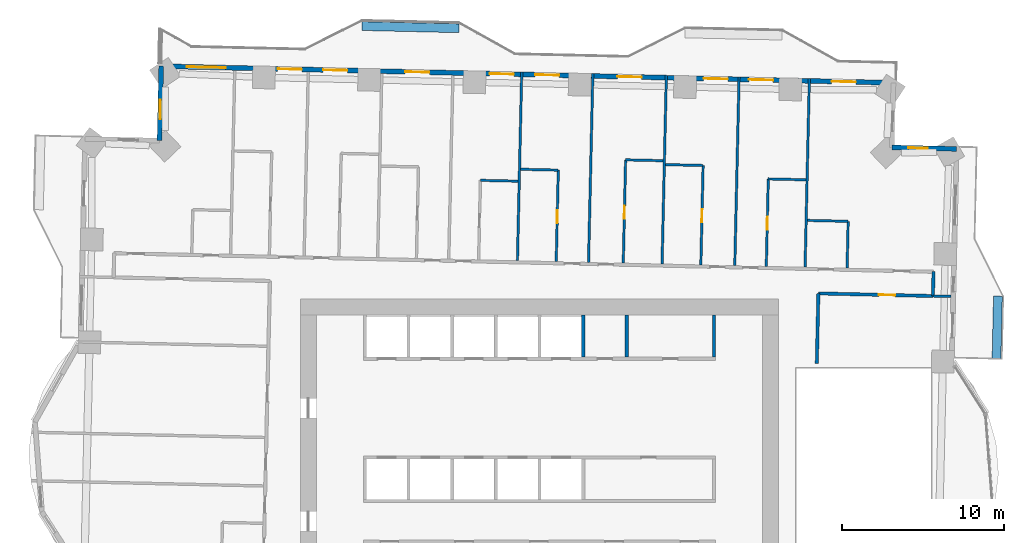
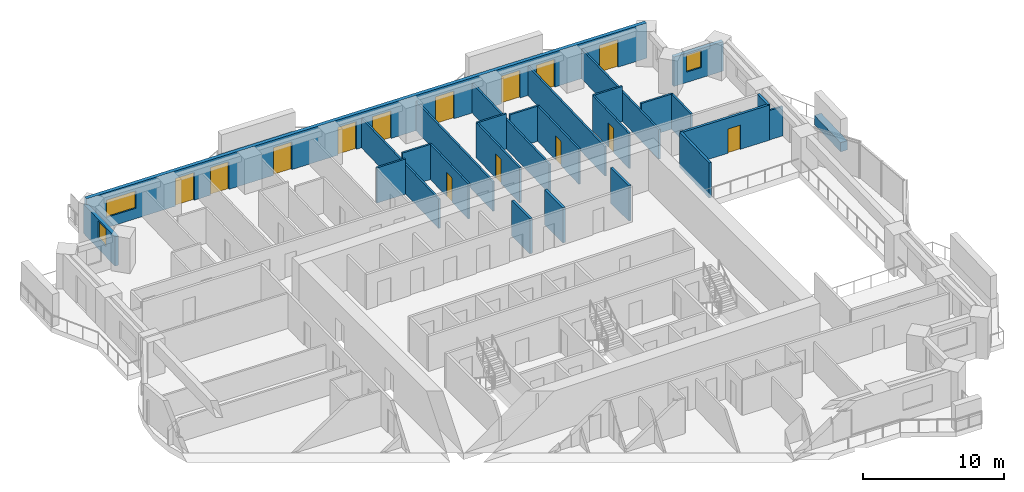
# One storey, part 11 of 16: 28 walls, 14 doors, 3 windows, 17 openings.
"""IFC4 building model written with IfcOpenShell, lengths in metres."""

from ifc_helpers import new_model, si_unit, direction, frame, frame_2d, origin, place, context, subcontext, project, spatial, rectangle, extrude, material, layer, layer_set, type_object, element, fill, save


model = new_model("IFC4")

# Units and contexts
model_context = context("Model", 3, precision=1e-05, world=origin(), true_north=direction((0.0, 1.0)))
body_context = subcontext(model_context, "Body", "Model", "MODEL_VIEW")
ifc_project = project(units=[si_unit("LENGTHUNIT", "METRE"), si_unit("AREAUNIT", "SQUARE_METRE"), si_unit("VOLUMEUNIT", "CUBIC_METRE"), si_unit("PLANEANGLEUNIT", "RADIAN"), si_unit("MASSUNIT", "GRAM", prefix="KILO")], contexts=[model_context])

# Site, building, storey
site_placement = place(None, origin())
site = spatial("IfcSite", under=ifc_project, at=site_placement, CompositionType="ELEMENT")
building_placement = place(site_placement, origin())
building = spatial("IfcBuilding", under=site, at=building_placement, Name="Mangrove Gate Tower", CompositionType="ELEMENT")
storey_placement = place(building_placement, frame((0.0, 0.0, 109.10009765625)))
storey = spatial("IfcBuildingStorey", under=building, at=storey_placement, Name="L27", CompositionType="ELEMENT", Elevation=109.10009765625)

# Walls
ifc_material_1 = material(Name="Concrete C32/40", Category="concrete")
ifc_layer_1 = layer(ifc_material_1, 0.199951171875)
ifc_layer_set_1 = layer_set([ifc_layer_1], Name="Core room wall 200 C32/40")
wall_type_1 = type_object("IfcWallType", Name="Core room wall 200 C32/40", PredefinedType="STANDARD", material=ifc_layer_set_1)
for number, where, z_axis, x_axis, name in (
    (1, (5.39990234375, 8.199951171875, 0.0), (0.0, 0.0, 1.0), (0.0, 1.0, 0.0), "WALL-L27-CORE-32"),
    (2, (10.800048828125, 8.199951171875, 0.0), (0.0, 0.0, 1.0), (0.0, 1.0, 0.0), "WALL-L27-CORE-33"),
):
    element("IfcWall", number, at=place(storey_placement, frame(where, z_axis=z_axis, x_axis=x_axis)), inside=storey, type_object=wall_type_1, Name=name, PredefinedType="STANDARD", context=body_context, shape_type="SweptSolid", body=[
        extrude(rectangle(XDim=2.60009765625, YDim=0.199951171875, at=frame_2d((1.300048828125, 0.0))), origin(), (0.0, 0.0, 1.0), 3.0498046875),
    ])
ifc_material_2 = material(Name="Concrete C70/85", Category="concrete")
ifc_layer_2 = layer(ifc_material_2, 0.199951171875)
ifc_layer_set_2 = layer_set([ifc_layer_2], Name="Core shaft wall 200 C70/85")
wall_type_2 = type_object("IfcWallType", Name="Core shaft wall 200 C70/85", PredefinedType="SHEAR", material=ifc_layer_set_2)
wall_1_placement = place(storey_placement, frame((2.699951171875, 8.199951171875, 0.0), z_axis=(0.0, 0.0, 1.0), x_axis=(0.0, 1.0, 0.0)))
element("IfcWall", 3, at=wall_1_placement, inside=storey, type_object=wall_type_2, Name="WALL-L27-CORE-31", PredefinedType="SHEAR", context=body_context, shape_type="SweptSolid", body=[
    extrude(rectangle(XDim=2.60009765625, YDim=0.199951171875, at=frame_2d((1.300048828125, 0.0))), origin(), (0.0, 0.0, 1.0), 3.0498046875),
])
ifc_material_3 = material(Name="Gypsum board on steel stud, EI 60", Category="steel")
ifc_layer_3 = layer(ifc_material_3, 0.199951171875)
ifc_layer_set_3 = layer_set([ifc_layer_3], Name="Corridor wall EI 60")
wall_type_3 = type_object("IfcWallType", Name="Corridor wall EI 60", PredefinedType="PARTITIONING", material=ifc_layer_set_3)
wall_2_placement = place(storey_placement, frame((17.155029296875, 7.81396484375, 0.0), z_axis=(0.0, 0.0, 1.0), x_axis=(0.022578158225, 0.999745080894, 0.0)))
element("IfcWall", 4, at=wall_2_placement, inside=storey, type_object=wall_type_3, Name="WALL-L27-037", PredefinedType="PARTITIONING", context=body_context, shape_type="SweptSolid", body=[
    extrude(rectangle(XDim=4.336181640625, YDim=0.199951171875, at=frame_2d((2.16796875, 0.0))), origin(), (0.0, 0.0, 1.0), 3.0498046875),
])

# Wall, opening, door
wall_3_placement = place(storey_placement, frame((17.248046875, 12.14501953125, 0.0), z_axis=(0.0, 0.0, 1.0), x_axis=(0.999742350192, -0.022698749566, 0.0)))
wall_3 = element("IfcWall", 5, at=wall_3_placement, inside=storey, type_object=wall_type_3, Name="WALL-L27-041", PredefinedType="PARTITIONING", context=body_context, shape_type="SweptSolid", body=[
    extrude(rectangle(XDim=7.0986328125, YDim=0.199951171875, at=frame_2d((3.54931640625, 0.0))), origin(), (0.0, 0.0, 1.0), 3.0498046875),
])
opening_1_placement = place(wall_3_placement, frame((3.75, 0.0, 0.0)))
opening_1 = element("IfcOpeningElement", 6, at=opening_1_placement, cuts=wall_3, Name="Opening AD", PredefinedType="OPENING", context=body_context, shape_type="SweptSolid", body=[
    extrude(rectangle(XDim=1.0, YDim=2.10009765625, at=frame_2d((0.5, 1.050048828125))), frame((0.0, 0.10986328125, 0.0), z_axis=(0.0, -1.0, 0.0), x_axis=(1.0, 0.0, 0.0)), (0.0, 0.0, 1.0), 0.219970703125),
])
ifc_material_4 = material(Name="Timber door leaf", Category="wood")
door_type_1 = type_object("IfcDoorType", Name="Amenity door 1000", OperationType="SINGLE_SWING_LEFT", PredefinedType="DOOR", material=ifc_material_4)
door_1_placement = place(opening_1_placement, origin())
door_1 = element("IfcDoor", 7, at=door_1_placement, inside=storey, type_object=door_type_1, Name="DOOR-L27-GAM-c3a", OperationType="SINGLE_SWING_RIGHT", OverallHeight=2.10009765625, OverallWidth=1.0, PredefinedType="DOOR", context=body_context, shape_type="SweptSolid", body=[
    extrude(rectangle(XDim=1.0, YDim=2.10009765625, at=frame_2d((0.5, 1.050048828125))), frame((0.0, 0.02490234375, 0.0), z_axis=(0.0, -1.0, 0.0), x_axis=(1.0, 0.0, 0.0)), (0.0, 0.0, 1.0), 0.050048828125),
])
fill(opening_1, door_1)

# Wall
wall_4_placement = place(storey_placement, frame((24.341064453125, 11.988037109375, 0.0), z_axis=(0.0, 0.0, 1.0), x_axis=(0.022617910375, 0.999744182344, 0.0)))
element("IfcWall", 8, at=wall_4_placement, inside=storey, type_object=wall_type_3, Name="WALL-L27-044", PredefinedType="PARTITIONING", context=body_context, shape_type="SweptSolid", body=[
    extrude(rectangle(XDim=1.50048828125, YDim=0.199951171875, at=frame_2d((0.750244140625, 0.0))), origin(), (0.0, 0.0, 1.0), 3.0498046875),
])

# Wall, opening, window
ifc_material_5 = material(Name="Limestone", Category="masonry")
ifc_layer_4 = layer(ifc_material_5, 0.0400390625, Name="Limestone cladding")
ifc_material_6 = material(Name="Ventilated air gap")
ifc_layer_5 = layer(ifc_material_6, 0.0400390625, Name="Ventilated cavity")
ifc_material_7 = material(Name="Mineral wool insulation")
ifc_layer_6 = layer(ifc_material_7, 0.06005859375, Name="Insulation")
ifc_material_8 = material(Name="Breather membrane")
ifc_layer_7 = layer(ifc_material_8, 0.001953125, Name="Breather membrane")
ifc_material_9 = material(Name="Concrete C20/25 blockwork", Category="masonry")
ifc_layer_8 = layer(ifc_material_9, 0.14990234375, Name="Blockwork backing wall")
ifc_material_10 = material(Name="Gypsum plaster")
ifc_layer_9 = layer(ifc_material_10, 0.008056640625, Name="Internal plaster")
ifc_layer_set_4 = layer_set([ifc_layer_4, ifc_layer_5, ifc_layer_6, ifc_layer_7, ifc_layer_8, ifc_layer_9], Name="External wall 300 limestone cladding")
wall_type_4 = type_object("IfcWallType", Name="External wall 300 limestone cladding", PredefinedType="SOLIDWALL", material=ifc_layer_set_4)
wall_5_placement = place(storey_placement, frame((25.802001953125, 21.0830078125, 0.0), z_axis=(0.0, 0.0, 1.0), x_axis=(-0.999740826251, 0.022765770952, 0.0)))
wall_5 = element("IfcWall", 9, at=wall_5_placement, inside=storey, type_object=wall_type_4, Name="WALL-L27-N3", PredefinedType="SOLIDWALL", context=body_context, shape_type="SweptSolid", body=[
    extrude(rectangle(XDim=4.0, YDim=0.300048828125, at=frame_2d((2.0, 0.0))), origin(), (0.0, 0.0, 1.0), 2.5498046875),
])
opening_2_placement = place(wall_5_placement, frame((1.782958984375, 0.0, 0.89990234375)))
opening_2 = element("IfcOpeningElement", 10, at=opening_2_placement, cuts=wall_5, Name="Opening W1", PredefinedType="OPENING", context=body_context, shape_type="SweptSolid", body=[
    extrude(rectangle(XDim=1.199951171875, YDim=1.5, at=frame_2d((0.60009765625, 0.75))), frame((0.0, 0.159912109375, 0.0), z_axis=(0.0, -1.0, 0.0), x_axis=(1.0, 0.0, 0.0)), (0.0, 0.0, 1.0), 0.320068359375),
])
ifc_material_11 = material(Name="Aluminium frame with double-glazed low-e glass", Category="aluminium")
window_type_1 = type_object("IfcWindowType", Name="Side lite 1200x1500", PartitioningType="SINGLE_PANEL", PredefinedType="WINDOW", material=ifc_material_11)
window_1_placement = place(opening_2_placement, origin())
window_1 = element("IfcWindow", 11, at=window_1_placement, inside=storey, type_object=window_type_1, Name="WIN-L27-N3-1", OverallHeight=1.5, OverallWidth=1.199951171875, PartitioningType="SINGLE_PANEL", PredefinedType="WINDOW", context=body_context, shape_type="SweptSolid", body=[
    extrude(rectangle(XDim=1.199951171875, YDim=1.5, at=frame_2d((0.60009765625, 0.75))), frame((0.0, 0.030029296875, 0.0), z_axis=(0.0, -1.0, 0.0), x_axis=(1.0, 0.0, 0.0)), (0.0, 0.0, 1.0), 0.06005859375),
])
fill(opening_2, window_1)

# Wall, openings, doors, window
wall_6_placement = place(storey_placement, frame((21.89404296875, 25.173095703125, 0.0), z_axis=(0.0, 0.0, 1.0), x_axis=(-0.999742661083, 0.022685052594, 0.0)))
wall_6 = element("IfcWall", 12, at=wall_6_placement, inside=storey, type_object=wall_type_4, Name="WALL-L27-N5", PredefinedType="SOLIDWALL", context=body_context, shape_type="SweptSolid", body=[
    extrude(rectangle(XDim=45.308837890625, YDim=0.300048828125, at=frame_2d((22.654296875, 0.0))), origin(), (0.0, 0.0, 1.0), 3.0498046875),
])
opening_3_placement = place(wall_6_placement, frame((2.319091796875, 0.0, 0.0)))
opening_3 = element("IfcOpeningElement", 13, at=opening_3_placement, cuts=wall_6, Name="Opening BD1", PredefinedType="OPENING", context=body_context, shape_type="SweptSolid", body=[
    extrude(rectangle(XDim=1.5, YDim=2.39990234375, at=frame_2d((0.75, 1.199951171875))), frame((0.0, 0.159912109375, 0.0), z_axis=(0.0, -1.0, 0.0), x_axis=(1.0, 0.0, 0.0)), (0.0, 0.0, 1.0), 0.320068359375),
])
opening_4_placement = place(wall_6_placement, frame((7.43701171875, 0.0, 0.0)))
opening_4 = element("IfcOpeningElement", 14, at=opening_4_placement, cuts=wall_6, Name="Opening BD1", PredefinedType="OPENING", context=body_context, shape_type="SweptSolid", body=[
    extrude(rectangle(XDim=1.5, YDim=2.39990234375, at=frame_2d((0.75, 1.199951171875))), frame((0.0, 0.159912109375, 0.0), z_axis=(0.0, -1.0, 0.0), x_axis=(1.0, 0.0, 0.0)), (0.0, 0.0, 1.0), 0.320068359375),
])
opening_5_placement = place(wall_6_placement, frame((10.243896484375, 0.0, 0.0)))
opening_5 = element("IfcOpeningElement", 15, at=opening_5_placement, cuts=wall_6, Name="Opening BD1", PredefinedType="OPENING", context=body_context, shape_type="SweptSolid", body=[
    extrude(rectangle(XDim=1.5, YDim=2.39990234375, at=frame_2d((0.75, 1.199951171875))), frame((0.0, 0.159912109375, 0.0), z_axis=(0.0, -1.0, 0.0), x_axis=(1.0, 0.0, 0.0)), (0.0, 0.0, 1.0), 0.320068359375),
])
opening_6_placement = place(wall_6_placement, frame((15.5830078125, 0.0, 0.0)))
opening_6 = element("IfcOpeningElement", 16, at=opening_6_placement, cuts=wall_6, Name="Opening BD1", PredefinedType="OPENING", context=body_context, shape_type="SweptSolid", body=[
    extrude(rectangle(XDim=1.5, YDim=2.39990234375, at=frame_2d((0.75, 1.199951171875))), frame((0.0, 0.159912109375, 0.0), z_axis=(0.0, -1.0, 0.0), x_axis=(1.0, 0.0, 0.0)), (0.0, 0.0, 1.0), 0.320068359375),
])
opening_7_placement = place(wall_6_placement, frame((20.677001953125, 0.0, 0.0)))
opening_7 = element("IfcOpeningElement", 17, at=opening_7_placement, cuts=wall_6, Name="Opening BD1", PredefinedType="OPENING", context=body_context, shape_type="SweptSolid", body=[
    extrude(rectangle(XDim=1.5, YDim=2.39990234375, at=frame_2d((0.75, 1.199951171875))), frame((0.0, 0.159912109375, 0.0), z_axis=(0.0, -1.0, 0.0), x_axis=(1.0, 0.0, 0.0)), (0.0, 0.0, 1.0), 0.320068359375),
])
opening_8_placement = place(wall_6_placement, frame((23.485107421875, 0.0, 0.0)))
opening_8 = element("IfcOpeningElement", 18, at=opening_8_placement, cuts=wall_6, Name="Opening BD1", PredefinedType="OPENING", context=body_context, shape_type="SweptSolid", body=[
    extrude(rectangle(XDim=1.5, YDim=2.39990234375, at=frame_2d((0.75, 1.199951171875))), frame((0.0, 0.159912109375, 0.0), z_axis=(0.0, -1.0, 0.0), x_axis=(1.0, 0.0, 0.0)), (0.0, 0.0, 1.0), 0.320068359375),
])
opening_9_placement = place(wall_6_placement, frame((28.7080078125, 0.0, 0.0)))
opening_9 = element("IfcOpeningElement", 19, at=opening_9_placement, cuts=wall_6, Name="Opening BD1", PredefinedType="OPENING", context=body_context, shape_type="SweptSolid", body=[
    extrude(rectangle(XDim=1.5, YDim=2.39990234375, at=frame_2d((0.75, 1.199951171875))), frame((0.0, 0.159912109375, 0.0), z_axis=(0.0, -1.0, 0.0), x_axis=(1.0, 0.0, 0.0)), (0.0, 0.0, 1.0), 0.320068359375),
])
opening_10_placement = place(wall_6_placement, frame((33.79296875, 0.0, 0.0)))
opening_10 = element("IfcOpeningElement", 20, at=opening_10_placement, cuts=wall_6, Name="Opening BD1", PredefinedType="OPENING", context=body_context, shape_type="SweptSolid", body=[
    extrude(rectangle(XDim=1.5, YDim=2.39990234375, at=frame_2d((0.75, 1.199951171875))), frame((0.0, 0.159912109375, 0.0), z_axis=(0.0, -1.0, 0.0), x_axis=(1.0, 0.0, 0.0)), (0.0, 0.0, 1.0), 0.320068359375),
])
opening_11_placement = place(wall_6_placement, frame((36.60009765625, 0.0, 0.0)))
opening_11 = element("IfcOpeningElement", 21, at=opening_11_placement, cuts=wall_6, Name="Opening BD1", PredefinedType="OPENING", context=body_context, shape_type="SweptSolid", body=[
    extrude(rectangle(XDim=1.5, YDim=2.39990234375, at=frame_2d((0.75, 1.199951171875))), frame((0.0, 0.159912109375, 0.0), z_axis=(0.0, -1.0, 0.0), x_axis=(1.0, 0.0, 0.0)), (0.0, 0.0, 1.0), 0.320068359375),
])
opening_12_placement = place(wall_6_placement, frame((41.318115234375, 0.0, 0.89990234375)))
opening_12 = element("IfcOpeningElement", 22, at=opening_12_placement, cuts=wall_6, Name="Opening W2", PredefinedType="OPENING", context=body_context, shape_type="SweptSolid", body=[
    extrude(rectangle(XDim=2.39990234375, YDim=1.5, at=frame_2d((1.199951171875, 0.75))), frame((0.0, 0.159912109375, 0.0), z_axis=(0.0, -1.0, 0.0), x_axis=(1.0, 0.0, 0.0)), (0.0, 0.0, 1.0), 0.320068359375),
])
ifc_material_12 = material(Name="Aluminium frame with laminated clear glass", Category="aluminium")
door_type_2 = type_object("IfcDoorType", Name="Balcony sliding door 1500x2400", OperationType="SLIDING_TO_LEFT", PredefinedType="DOOR", material=ifc_material_12)
door_2_placement = place(opening_3_placement, origin())
door_2 = element("IfcDoor", 23, at=door_2_placement, inside=storey, type_object=door_type_2, Name="DOOR-L27-N5-1", OperationType="SLIDING_TO_LEFT", OverallHeight=2.39990234375, OverallWidth=1.5, PredefinedType="DOOR", context=body_context, shape_type="SweptSolid", body=[
    extrude(rectangle(XDim=1.5, YDim=2.39990234375, at=frame_2d((0.75, 1.199951171875))), frame((0.0, 0.02490234375, 0.0), z_axis=(0.0, -1.0, 0.0), x_axis=(1.0, 0.0, 0.0)), (0.0, 0.0, 1.0), 0.050048828125),
])
fill(opening_3, door_2)
door_3_placement = place(opening_4_placement, origin())
door_3 = element("IfcDoor", 24, at=door_3_placement, inside=storey, type_object=door_type_2, Name="DOOR-L27-N5-2", OperationType="SLIDING_TO_LEFT", OverallHeight=2.39990234375, OverallWidth=1.5, PredefinedType="DOOR", context=body_context, shape_type="SweptSolid", body=[
    extrude(rectangle(XDim=1.5, YDim=2.39990234375, at=frame_2d((0.75, 1.199951171875))), frame((0.0, 0.02490234375, 0.0), z_axis=(0.0, -1.0, 0.0), x_axis=(1.0, 0.0, 0.0)), (0.0, 0.0, 1.0), 0.050048828125),
])
fill(opening_4, door_3)
door_4_placement = place(opening_5_placement, origin())
door_4 = element("IfcDoor", 25, at=door_4_placement, inside=storey, type_object=door_type_2, Name="DOOR-L27-N5-3", OperationType="SLIDING_TO_LEFT", OverallHeight=2.39990234375, OverallWidth=1.5, PredefinedType="DOOR", context=body_context, shape_type="SweptSolid", body=[
    extrude(rectangle(XDim=1.5, YDim=2.39990234375, at=frame_2d((0.75, 1.199951171875))), frame((0.0, 0.02490234375, 0.0), z_axis=(0.0, -1.0, 0.0), x_axis=(1.0, 0.0, 0.0)), (0.0, 0.0, 1.0), 0.050048828125),
])
fill(opening_5, door_4)
door_5_placement = place(opening_6_placement, origin())
door_5 = element("IfcDoor", 26, at=door_5_placement, inside=storey, type_object=door_type_2, Name="DOOR-L27-N5-4", OperationType="SLIDING_TO_LEFT", OverallHeight=2.39990234375, OverallWidth=1.5, PredefinedType="DOOR", context=body_context, shape_type="SweptSolid", body=[
    extrude(rectangle(XDim=1.5, YDim=2.39990234375, at=frame_2d((0.75, 1.199951171875))), frame((0.0, 0.02490234375, 0.0), z_axis=(0.0, -1.0, 0.0), x_axis=(1.0, 0.0, 0.0)), (0.0, 0.0, 1.0), 0.050048828125),
])
fill(opening_6, door_5)
door_6_placement = place(opening_7_placement, origin())
door_6 = element("IfcDoor", 27, at=door_6_placement, inside=storey, type_object=door_type_2, Name="DOOR-L27-N5-5", OperationType="SLIDING_TO_LEFT", OverallHeight=2.39990234375, OverallWidth=1.5, PredefinedType="DOOR", context=body_context, shape_type="SweptSolid", body=[
    extrude(rectangle(XDim=1.5, YDim=2.39990234375, at=frame_2d((0.75, 1.199951171875))), frame((0.0, 0.02490234375, 0.0), z_axis=(0.0, -1.0, 0.0), x_axis=(1.0, 0.0, 0.0)), (0.0, 0.0, 1.0), 0.050048828125),
])
fill(opening_7, door_6)
door_7_placement = place(opening_8_placement, origin())
door_7 = element("IfcDoor", 28, at=door_7_placement, inside=storey, type_object=door_type_2, Name="DOOR-L27-N5-6", OperationType="SLIDING_TO_LEFT", OverallHeight=2.39990234375, OverallWidth=1.5, PredefinedType="DOOR", context=body_context, shape_type="SweptSolid", body=[
    extrude(rectangle(XDim=1.5, YDim=2.39990234375, at=frame_2d((0.75, 1.199951171875))), frame((0.0, 0.02490234375, 0.0), z_axis=(0.0, -1.0, 0.0), x_axis=(1.0, 0.0, 0.0)), (0.0, 0.0, 1.0), 0.050048828125),
])
fill(opening_8, door_7)
door_8_placement = place(opening_9_placement, origin())
door_8 = element("IfcDoor", 29, at=door_8_placement, inside=storey, type_object=door_type_2, Name="DOOR-L27-N5-7", OperationType="SLIDING_TO_LEFT", OverallHeight=2.39990234375, OverallWidth=1.5, PredefinedType="DOOR", context=body_context, shape_type="SweptSolid", body=[
    extrude(rectangle(XDim=1.5, YDim=2.39990234375, at=frame_2d((0.75, 1.199951171875))), frame((0.0, 0.02490234375, 0.0), z_axis=(0.0, -1.0, 0.0), x_axis=(1.0, 0.0, 0.0)), (0.0, 0.0, 1.0), 0.050048828125),
])
fill(opening_9, door_8)
door_9_placement = place(opening_10_placement, origin())
door_9 = element("IfcDoor", 30, at=door_9_placement, inside=storey, type_object=door_type_2, Name="DOOR-L27-N5-8", OperationType="SLIDING_TO_LEFT", OverallHeight=2.39990234375, OverallWidth=1.5, PredefinedType="DOOR", context=body_context, shape_type="SweptSolid", body=[
    extrude(rectangle(XDim=1.5, YDim=2.39990234375, at=frame_2d((0.75, 1.199951171875))), frame((0.0, 0.02490234375, 0.0), z_axis=(0.0, -1.0, 0.0), x_axis=(1.0, 0.0, 0.0)), (0.0, 0.0, 1.0), 0.050048828125),
])
fill(opening_10, door_9)
door_10_placement = place(opening_11_placement, origin())
door_10 = element("IfcDoor", 31, at=door_10_placement, inside=storey, type_object=door_type_2, Name="DOOR-L27-N5-9", OperationType="SLIDING_TO_LEFT", OverallHeight=2.39990234375, OverallWidth=1.5, PredefinedType="DOOR", context=body_context, shape_type="SweptSolid", body=[
    extrude(rectangle(XDim=1.5, YDim=2.39990234375, at=frame_2d((0.75, 1.199951171875))), frame((0.0, 0.02490234375, 0.0), z_axis=(0.0, -1.0, 0.0), x_axis=(1.0, 0.0, 0.0)), (0.0, 0.0, 1.0), 0.050048828125),
])
fill(opening_11, door_10)
ifc_material_13 = material(Name="Aluminium frame with double-glazed low-e glass", Category="aluminium")
window_type_2 = type_object("IfcWindowType", Name="Corner room window 2400x1500", PartitioningType="DOUBLE_PANEL_VERTICAL", PredefinedType="WINDOW", material=ifc_material_13)
window_2_placement = place(opening_12_placement, origin())
window_2 = element("IfcWindow", 32, at=window_2_placement, inside=storey, type_object=window_type_2, Name="WIN-L27-N5-10", OverallHeight=1.5, OverallWidth=2.39990234375, PartitioningType="DOUBLE_PANEL_VERTICAL", PredefinedType="WINDOW", context=body_context, shape_type="SweptSolid", body=[
    extrude(rectangle(XDim=2.39990234375, YDim=1.5, at=frame_2d((1.199951171875, 0.75))), frame((0.0, 0.030029296875, 0.0), z_axis=(0.0, -1.0, 0.0), x_axis=(1.0, 0.0, 0.0)), (0.0, 0.0, 1.0), 0.06005859375),
])
fill(opening_12, window_2)

# Wall, opening, window
wall_7_placement = place(storey_placement, frame((-23.403076171875, 26.200927734375, 0.0), z_axis=(0.0, 0.0, 1.0), x_axis=(-0.022609285172, -0.999744377441, 0.0)))
wall_7 = element("IfcWall", 33, at=wall_7_placement, inside=storey, type_object=wall_type_4, Name="WALL-L27-W6", PredefinedType="SOLIDWALL", context=body_context, shape_type="SweptSolid", body=[
    extrude(rectangle(XDim=4.60009765625, YDim=0.300048828125, at=frame_2d((2.300048828125, 0.0))), origin(), (0.0, 0.0, 1.0), 2.5498046875),
])
opening_13_placement = place(wall_7_placement, frame((2.075927734375, 0.0, 0.89990234375)))
opening_13 = element("IfcOpeningElement", 34, at=opening_13_placement, cuts=wall_7, Name="Opening W1", PredefinedType="OPENING", context=body_context, shape_type="SweptSolid", body=[
    extrude(rectangle(XDim=1.199951171875, YDim=1.5, at=frame_2d((0.60009765625, 0.75))), frame((0.0, 0.159912109375, 0.0), z_axis=(0.0, -1.0, 0.0), x_axis=(1.0, 0.0, 0.0)), (0.0, 0.0, 1.0), 0.320068359375),
])
window_3_placement = place(opening_13_placement, origin())
window_3 = element("IfcWindow", 35, at=window_3_placement, inside=storey, type_object=window_type_1, Name="WIN-L27-W6-1", OverallHeight=1.5, OverallWidth=1.199951171875, PartitioningType="SINGLE_PANEL", PredefinedType="WINDOW", context=body_context, shape_type="SweptSolid", body=[
    extrude(rectangle(XDim=1.199951171875, YDim=1.5, at=frame_2d((0.60009765625, 0.75))), frame((0.0, 0.030029296875, 0.0), z_axis=(0.0, -1.0, 0.0), x_axis=(1.0, 0.0, 0.0)), (0.0, 0.0, 1.0), 0.06005859375),
])
fill(opening_13, window_3)

# Walls
ifc_material_14 = material(Name="Gypsum board on steel stud, EI 60", Category="steel")
ifc_layer_10 = layer(ifc_material_14, 0.14990234375)
ifc_layer_set_5 = layer_set([ifc_layer_10], Name="Party wall 150 EI 60")
wall_type_5 = type_object("IfcWallType", Name="Party wall 150 EI 60", PredefinedType="PARTITIONING", material=ifc_layer_set_5)
wall_8_placement = place(storey_placement, frame((24.344970703125, 11.98388671875, 0.0), z_axis=(0.0, 0.0, 1.0), x_axis=(0.9997438932, -0.022630687329, 0.0)))
element("IfcWall", 36, at=wall_8_placement, inside=storey, type_object=wall_type_5, Name="WALL-L27-042", PredefinedType="PARTITIONING", context=body_context, shape_type="SweptSolid", body=[
    extrude(rectangle(XDim=1.100341796875, YDim=0.14990234375, at=frame_2d((0.55029296875, 0.0))), origin(), (0.0, 0.0, 1.0), 2.5498046875),
])
wall_9_placement = place(storey_placement, frame((-1.365966796875, 14.172119140625, 0.0), z_axis=(0.0, 0.0, 1.0), x_axis=(0.022687206857, 0.999742612198, 0.0)))
element("IfcWall", 37, at=wall_9_placement, inside=storey, type_object=wall_type_5, Name="WALL-L27-055", PredefinedType="PARTITIONING", context=body_context, shape_type="SweptSolid", body=[
    extrude(rectangle(XDim=11.67578125, YDim=0.14990234375, at=frame_2d((5.837890625, 0.0))), origin(), (0.0, 0.0, 1.0), 2.5498046875),
])

# Wall, opening, door
wall_10_placement = place(storey_placement, frame((1.033935546875, 14.116943359375, 0.0), z_axis=(0.0, 0.0, 1.0), x_axis=(0.022644004729, 0.999743591652, 0.0)))
wall_10 = element("IfcWall", 38, at=wall_10_placement, inside=storey, type_object=wall_type_5, Name="WALL-L27-056", PredefinedType="PARTITIONING", context=body_context, shape_type="SweptSolid", body=[
    extrude(rectangle(XDim=5.660400390625, YDim=0.14990234375, at=frame_2d((2.830078125, 0.0))), origin(), (0.0, 0.0, 1.0), 3.0498046875),
])
opening_14_placement = place(wall_10_placement, frame((2.3798828125, 0.0, 0.0)))
opening_14 = element("IfcOpeningElement", 39, at=opening_14_placement, cuts=wall_10, Name="Opening ED", PredefinedType="OPENING", context=body_context, shape_type="SweptSolid", body=[
    extrude(rectangle(XDim=0.800048828125, YDim=2.10009765625, at=frame_2d((0.39990234375, 1.050048828125))), frame((0.0, 0.0849609375, 0.0), z_axis=(0.0, -1.0, 0.0), x_axis=(1.0, 0.0, 0.0)), (0.0, 0.0, 1.0), 0.169921875),
])
ifc_material_15 = material(Name="Timber door leaf", Category="wood")
door_type_3 = type_object("IfcDoorType", Name="En-suite door 800", OperationType="SINGLE_SWING_LEFT", PredefinedType="DOOR", material=ifc_material_15)
door_11_placement = place(opening_14_placement, origin())
door_11 = element("IfcDoor", 40, at=door_11_placement, inside=storey, type_object=door_type_3, Name="DOOR-L27-ENS-c411", OperationType="SINGLE_SWING_LEFT", OverallHeight=2.10009765625, OverallWidth=0.800048828125, PredefinedType="DOOR", context=body_context, shape_type="SweptSolid", body=[
    extrude(rectangle(XDim=0.800048828125, YDim=2.10009765625, at=frame_2d((0.39990234375, 1.050048828125))), frame((0.0, 0.02490234375, 0.0), z_axis=(0.0, -1.0, 0.0), x_axis=(1.0, 0.0, 0.0)), (0.0, 0.0, 1.0), 0.050048828125),
])
fill(opening_14, door_11)

# Wall
wall_11_placement = place(storey_placement, frame((3.032958984375, 14.072021484375, 0.0), z_axis=(0.0, 0.0, 1.0), x_axis=(0.022707631257, 0.999742148498, 0.0)))
element("IfcWall", 41, at=wall_11_placement, inside=storey, type_object=wall_type_5, Name="WALL-L27-057", PredefinedType="PARTITIONING", context=body_context, shape_type="SweptSolid", body=[
    extrude(rectangle(XDim=11.676025390625, YDim=0.14990234375, at=frame_2d((5.837890625, 0.0))), origin(), (0.0, 0.0, 1.0), 2.5498046875),
])

# Wall, opening, door
wall_12_placement = place(storey_placement, frame((5.181884765625, 14.02294921875, 0.0), z_axis=(0.0, 0.0, 1.0), x_axis=(0.022691900969, 0.999742505664, 0.0)))
wall_12 = element("IfcWall", 42, at=wall_12_placement, inside=storey, type_object=wall_type_5, Name="WALL-L27-058", PredefinedType="PARTITIONING", context=body_context, shape_type="SweptSolid", body=[
    extrude(rectangle(XDim=6.390869140625, YDim=0.14990234375, at=frame_2d((3.1953125, 0.0))), origin(), (0.0, 0.0, 1.0), 3.0498046875),
])
opening_15_placement = place(wall_12_placement, frame((2.7451171875, 0.0, 0.0)))
opening_15 = element("IfcOpeningElement", 43, at=opening_15_placement, cuts=wall_12, Name="Opening ED", PredefinedType="OPENING", context=body_context, shape_type="SweptSolid", body=[
    extrude(rectangle(XDim=0.800048828125, YDim=2.10009765625, at=frame_2d((0.39990234375, 1.050048828125))), frame((0.0, 0.0849609375, 0.0), z_axis=(0.0, -1.0, 0.0), x_axis=(1.0, 0.0, 0.0)), (0.0, 0.0, 1.0), 0.169921875),
])
door_12_placement = place(opening_15_placement, origin())
door_12 = element("IfcDoor", 44, at=door_12_placement, inside=storey, type_object=door_type_3, Name="DOOR-L27-ENS-c410", OperationType="SINGLE_SWING_RIGHT", OverallHeight=2.10009765625, OverallWidth=0.800048828125, PredefinedType="DOOR", context=body_context, shape_type="SweptSolid", body=[
    extrude(rectangle(XDim=0.800048828125, YDim=2.10009765625, at=frame_2d((0.39990234375, 1.050048828125))), frame((0.0, 0.02490234375, 0.0), z_axis=(0.0, -1.0, 0.0), x_axis=(1.0, 0.0, 0.0)), (0.0, 0.0, 1.0), 0.050048828125),
])
fill(opening_15, door_12)

# Wall
wall_13_placement = place(storey_placement, frame((7.58203125, 13.968994140625, 0.0), z_axis=(0.0, 0.0, 1.0), x_axis=(0.022686732602, 0.99974262296, 0.0)))
element("IfcWall", 45, at=wall_13_placement, inside=storey, type_object=wall_type_5, Name="WALL-L27-059", PredefinedType="PARTITIONING", context=body_context, shape_type="SweptSolid", body=[
    extrude(rectangle(XDim=11.676025390625, YDim=0.14990234375, at=frame_2d((5.837890625, 0.0))), origin(), (0.0, 0.0, 1.0), 2.5498046875),
])

# Wall, opening, door
wall_14_placement = place(storey_placement, frame((9.98095703125, 13.9140625, 0.0), z_axis=(0.0, 0.0, 1.0), x_axis=(0.022784522714, 0.999740399066, 0.0)))
wall_14 = element("IfcWall", 46, at=wall_14_placement, inside=storey, type_object=wall_type_5, Name="WALL-L27-060", PredefinedType="PARTITIONING", context=body_context, shape_type="SweptSolid", body=[
    extrude(rectangle(XDim=6.150634765625, YDim=0.14990234375, at=frame_2d((3.0751953125, 0.0))), origin(), (0.0, 0.0, 1.0), 3.0498046875),
])
opening_16_placement = place(wall_14_placement, frame((2.625, 0.0, 0.0)))
opening_16 = element("IfcOpeningElement", 47, at=opening_16_placement, cuts=wall_14, Name="Opening ED", PredefinedType="OPENING", context=body_context, shape_type="SweptSolid", body=[
    extrude(rectangle(XDim=0.800048828125, YDim=2.10009765625, at=frame_2d((0.39990234375, 1.050048828125))), frame((0.0, 0.0849609375, 0.0), z_axis=(0.0, -1.0, 0.0), x_axis=(1.0, 0.0, 0.0)), (0.0, 0.0, 1.0), 0.169921875),
])
door_13_placement = place(opening_16_placement, origin())
door_13 = element("IfcDoor", 48, at=door_13_placement, inside=storey, type_object=door_type_3, Name="DOOR-L27-ENS-c309", OperationType="SINGLE_SWING_LEFT", OverallHeight=2.10009765625, OverallWidth=0.800048828125, PredefinedType="DOOR", context=body_context, shape_type="SweptSolid", body=[
    extrude(rectangle(XDim=0.800048828125, YDim=2.10009765625, at=frame_2d((0.39990234375, 1.050048828125))), frame((0.0, 0.02490234375, 0.0), z_axis=(0.0, -1.0, 0.0), x_axis=(1.0, 0.0, 0.0)), (0.0, 0.0, 1.0), 0.050048828125),
])
fill(opening_16, door_13)

# Wall
wall_15_placement = place(storey_placement, frame((12.0810546875, 13.866943359375, 0.0), z_axis=(0.0, 0.0, 1.0), x_axis=(0.022686732602, 0.99974262296, 0.0)))
element("IfcWall", 49, at=wall_15_placement, inside=storey, type_object=wall_type_5, Name="WALL-L27-061", PredefinedType="PARTITIONING", context=body_context, shape_type="SweptSolid", body=[
    extrude(rectangle(XDim=11.676025390625, YDim=0.14990234375, at=frame_2d((5.837890625, 0.0))), origin(), (0.0, 0.0, 1.0), 2.5498046875),
])

# Wall, opening, door
wall_16_placement = place(storey_placement, frame((14.030029296875, 13.822998046875, 0.0), z_axis=(0.0, 0.0, 1.0), x_axis=(0.022747035861, 0.999741252705, 0.0)))
wall_16 = element("IfcWall", 50, at=wall_16_placement, inside=storey, type_object=wall_type_5, Name="WALL-L27-062", PredefinedType="PARTITIONING", context=body_context, shape_type="SweptSolid", body=[
    extrude(rectangle(XDim=5.409423828125, YDim=0.14990234375, at=frame_2d((2.70458984375, 0.0))), origin(), (0.0, 0.0, 1.0), 3.0498046875),
])
opening_17_placement = place(wall_16_placement, frame((2.2548828125, 0.0, 0.0)))
opening_17 = element("IfcOpeningElement", 51, at=opening_17_placement, cuts=wall_16, Name="Opening ED", PredefinedType="OPENING", context=body_context, shape_type="SweptSolid", body=[
    extrude(rectangle(XDim=0.800048828125, YDim=2.10009765625, at=frame_2d((0.39990234375, 1.050048828125))), frame((0.0, 0.0849609375, 0.0), z_axis=(0.0, -1.0, 0.0), x_axis=(1.0, 0.0, 0.0)), (0.0, 0.0, 1.0), 0.169921875),
])
door_14_placement = place(opening_17_placement, origin())
door_14 = element("IfcDoor", 52, at=door_14_placement, inside=storey, type_object=door_type_3, Name="DOOR-L27-ENS-c308", OperationType="SINGLE_SWING_RIGHT", OverallHeight=2.10009765625, OverallWidth=0.800048828125, PredefinedType="DOOR", context=body_context, shape_type="SweptSolid", body=[
    extrude(rectangle(XDim=0.800048828125, YDim=2.10009765625, at=frame_2d((0.39990234375, 1.050048828125))), frame((0.0, 0.02490234375, 0.0), z_axis=(0.0, -1.0, 0.0), x_axis=(1.0, 0.0, 0.0)), (0.0, 0.0, 1.0), 0.050048828125),
])
fill(opening_17, door_14)

# Walls
wall_17_placement = place(storey_placement, frame((16.429931640625, 13.76806640625, 0.0), z_axis=(0.0, 0.0, 1.0), x_axis=(0.022624509406, 0.999744033028, 0.0)))
element("IfcWall", 53, at=wall_17_placement, inside=storey, type_object=wall_type_5, Name="WALL-L27-063", PredefinedType="PARTITIONING", context=body_context, shape_type="SweptSolid", body=[
    extrude(rectangle(XDim=11.67578125, YDim=0.14990234375, at=frame_2d((5.837890625, 0.0))), origin(), (0.0, 0.0, 1.0), 2.5498046875),
])
wall_18_placement = place(storey_placement, frame((19.029052734375, 13.708984375, 0.0), z_axis=(0.0, 0.0, 1.0), x_axis=(0.022732880677, 0.999741574676, 0.0)))
element("IfcWall", 54, at=wall_18_placement, inside=storey, type_object=wall_type_5, Name="WALL-L27-064", PredefinedType="PARTITIONING", context=body_context, shape_type="SweptSolid", body=[
    extrude(rectangle(XDim=2.899658203125, YDim=0.14990234375, at=frame_2d((1.44970703125, 0.0))), origin(), (0.0, 0.0, 1.0), 3.0498046875),
])
wall_19_placement = place(storey_placement, frame((16.56591796875, 16.662109375, 0.0), z_axis=(0.0, 0.0, 1.0), x_axis=(0.999735358199, -0.023004642294, 0.0)))
element("IfcWall", 55, at=wall_19_placement, inside=storey, type_object=wall_type_5, Name="WALL-L27-066", PredefinedType="PARTITIONING", context=body_context, shape_type="SweptSolid", body=[
    extrude(rectangle(XDim=2.52587890625, YDim=0.14990234375, at=frame_2d((1.262939453125, 0.0))), origin(), (0.0, 0.0, 1.0), 3.0498046875),
])
wall_20_placement = place(storey_placement, frame((-3.657958984375, 19.14111328125, 0.0), z_axis=(0.0, 0.0, 1.0), x_axis=(0.999738082346, -0.022885950011, 0.0)))
element("IfcWall", 56, at=wall_20_placement, inside=storey, type_object=wall_type_5, Name="WALL-L27-067", PredefinedType="PARTITIONING", context=body_context, shape_type="SweptSolid", body=[
    extrude(rectangle(XDim=2.325439453125, YDim=0.14990234375, at=frame_2d((1.16259765625, 0.0))), origin(), (0.0, 0.0, 1.0), 3.0498046875),
])
wall_21_placement = place(storey_placement, frame((14.14892578125, 19.22705078125, 0.0), z_axis=(0.0, 0.0, 1.0), x_axis=(0.999740260747, -0.02279059109, 0.0)))
element("IfcWall", 57, at=wall_21_placement, inside=storey, type_object=wall_type_5, Name="WALL-L27-068", PredefinedType="PARTITIONING", context=body_context, shape_type="SweptSolid", body=[
    extrude(rectangle(XDim=2.324462890625, YDim=0.14990234375, at=frame_2d((1.162109375, 0.0))), origin(), (0.0, 0.0, 1.0), 3.0498046875),
])
for number, where, z_axis, x_axis, name in (
    (58, (-1.1669921875, 19.824951171875, 0.0), (0.0, 0.0, 1.0), (0.999740478815, -0.022781023197, 0.0), "WALL-L27-070"),
    (59, (7.7919921875, 20.112060546875, 0.0), (0.0, 0.0, 1.0), (0.999740478815, -0.022781023197, 0.0), "WALL-L27-071"),
    (60, (5.322998046875, 20.407958984375, 0.0), (0.0, 0.0, 1.0), (0.999740478815, -0.022781023197, 0.0), "WALL-L27-074"),
):
    element("IfcWall", number, at=place(storey_placement, frame(where, z_axis=z_axis, x_axis=x_axis)), inside=storey, type_object=wall_type_5, Name=name, PredefinedType="PARTITIONING", context=body_context, shape_type="SweptSolid", body=[
        extrude(rectangle(XDim=2.325439453125, YDim=0.14990234375, at=frame_2d((1.16259765625, 0.0))), origin(), (0.0, 0.0, 1.0), 3.0498046875),
    ])
ifc_material_16 = material(Name="Concrete C32/40", Category="concrete")
ifc_layer_11 = layer(ifc_material_16, 0.199951171875, Name="Planter trough wall")
ifc_material_17 = material(Name="Bituminous waterproofing membrane")
ifc_layer_12 = layer(ifc_material_17, 0.0048828125, Name="Waterproofing")
ifc_material_18 = material(Name="Drainage board and gravel")
ifc_layer_13 = layer(ifc_material_18, 0.044921875, Name="Drainage layer")
ifc_material_19 = material(Name="Planting soil")
ifc_layer_14 = layer(ifc_material_19, 0.300048828125, Name="Growing medium")
ifc_layer_set_6 = layer_set([ifc_layer_11, ifc_layer_12, ifc_layer_13, ifc_layer_14], Name="Planter wall 550 C32/40")
wall_type_6 = type_object("IfcWallType", Name="Planter wall 550 C32/40", PredefinedType="USERDEFINED", material=ifc_layer_set_6)
wall_22_placement = place(storey_placement, frame((28.27294921875, 8.09912109375, 0.0), z_axis=(0.0, 0.0, 1.0), x_axis=(0.022745736617, 0.999741282265, 0.0)))
element("IfcWall", 61, at=wall_22_placement, inside=storey, type_object=wall_type_6, Name="PLANTER L27 E1.1", ObjectType="PLANTER", PredefinedType="USERDEFINED", context=body_context, shape_type="SweptSolid", body=[
    extrude(rectangle(XDim=3.874755859375, YDim=0.550048828125, at=frame_2d((1.9375, 0.0))), origin(), (0.0, 0.0, 1.0), 0.7998046875),
])
wall_23_placement = place(storey_placement, frame((-10.989013671875, 28.68505859375, 0.0), z_axis=(0.0, 0.0, 1.0), x_axis=(0.999743178102, -0.022662255828, 0.0)))
element("IfcWall", 62, at=wall_23_placement, inside=storey, type_object=wall_type_6, Name="PLANTER L27 N1.1", ObjectType="PLANTER", PredefinedType="USERDEFINED", context=body_context, shape_type="SweptSolid", body=[
    extrude(rectangle(XDim=6.00048828125, YDim=0.550048828125, at=frame_2d((3.000244140625, 0.0))), origin(), (0.0, 0.0, 1.0), 0.7998046875),
])

save(model, "model.ifc")
